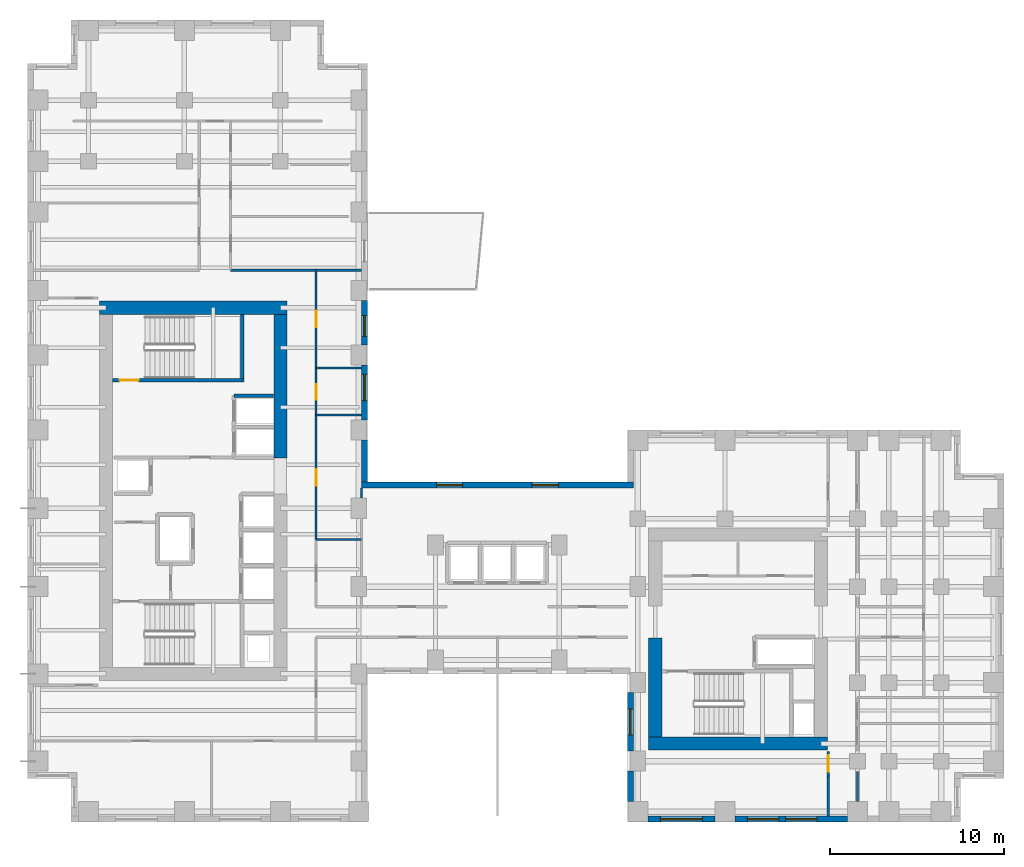
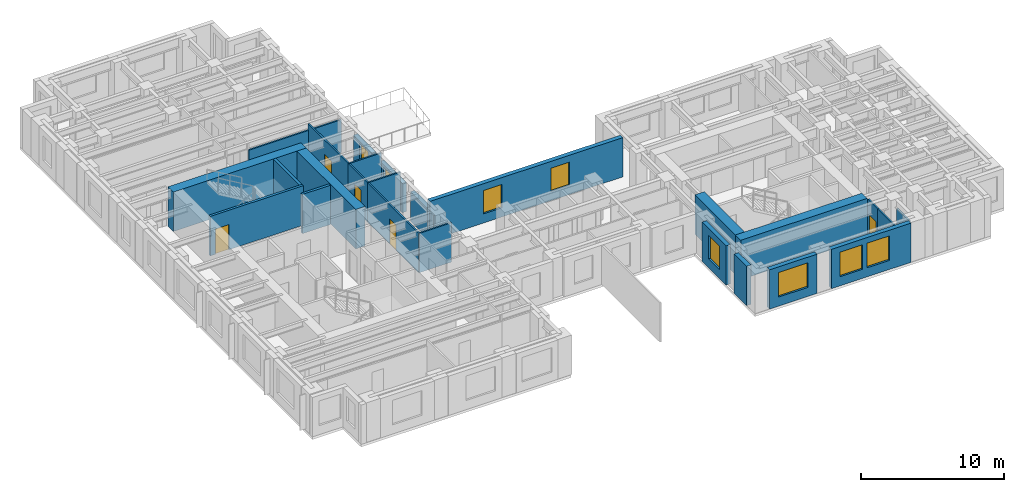
# One storey, part 6 of 11: 26 walls, 8 windows, 5 doors, 13 openings.
"""IFC4 building model written with IfcOpenShell, lengths in metres."""

import ifcopenshell
import ifcopenshell.guid

model = None  # the IFC model being written
_history = None  # IfcOwnerHistory: only IFC2X3 demands one
_inside = {}  # id of a spatial element -> (the spatial element, [elements in it])
_under = {}  # id of a project, library or spatial element -> (it, [spatial elements below it])
_declared = {}  # id of a project -> (the project, [libraries it declares])
_typed = {}  # id of a type object -> (the type object, [elements of that type])
_made_of = {}  # id of a material, layer set ... -> (it, [elements and type objects made of it])


def new_model(schema):
    """Start an empty IFC model of exactly this schema.

    Asked for "IFC4X3", IfcOpenShell would pick the latest addendum, in which some entities
    have other attributes; the version numbers below select the first issue.
    IFC2X3 requires an IfcOwnerHistory on every rooted entity: one is made here for all.
    """
    global model, _history
    if schema == "IFC4X3":
        model = ifcopenshell.file(schema_version=(4, 3, 0, 0))
    else:
        model = ifcopenshell.file(schema=schema)
    _inside.clear()
    _under.clear()
    _declared.clear()
    _typed.clear()
    _made_of.clear()
    _history = None
    if model.schema == "IFC2X3":
        org = make("IfcOrganization", Name="unknown")
        user = make(
            "IfcPersonAndOrganization",
            ThePerson=make("IfcPerson", FamilyName="unknown"),
            TheOrganization=org,
        )
        app = make(
            "IfcApplication",
            ApplicationDeveloper=org,
            Version="unknown",
            ApplicationFullName="unknown",
            ApplicationIdentifier="unknown",
        )
        _history = make(
            "IfcOwnerHistory",
            OwningUser=user,
            OwningApplication=app,
            ChangeAction="ADDED",
            CreationDate=0,
        )
    return model


def make(cls, **values):
    """One entity of the class cls with the attributes given. An attribute that is None is left unset."""
    return model.create_entity(
        cls, **{name: value for name, value in values.items() if value is not None}
    )


def rooted(cls, **values):
    """An entity with a GlobalId (a new one), such as an element, a storey or a relation."""
    return make(cls, GlobalId=ifcopenshell.guid.new(), OwnerHistory=_history, **values)


def si_unit(unit_type, name, prefix=None):
    """IfcSIUnit, for example si_unit("LENGTHUNIT", "METRE", prefix="MILLI")."""
    return make("IfcSIUnit", UnitType=unit_type, Prefix=prefix, Name=name)


def assignment(units):
    """IfcUnitAssignment: the units of a project."""
    return None if units is None else make("IfcUnitAssignment", Units=units)


def point(xyz):
    """IfcCartesianPoint."""
    return None if xyz is None else make("IfcCartesianPoint", Coordinates=xyz)


def direction(xyz):
    """IfcDirection."""
    return None if xyz is None else make("IfcDirection", DirectionRatios=xyz)


def frame(location, z_axis=None, x_axis=None):
    """IfcAxis2Placement3D, a coordinate frame: its origin and axes. An axis left out is left unset."""
    return make(
        "IfcAxis2Placement3D",
        Location=point(location),
        Axis=direction(z_axis),
        RefDirection=direction(x_axis),
    )


def frame_2d(location, x_axis=None):
    """IfcAxis2Placement2D, a coordinate frame in the plane: its origin and x axis."""
    return make(
        "IfcAxis2Placement2D", Location=point(location), RefDirection=direction(x_axis)
    )


def origin():
    """The frame at (0, 0, 0) with its axes left unset."""
    return frame((0.0, 0.0, 0.0))


def place(relative_to, where):
    """IfcLocalPlacement: puts the frame where relative to a parent placement (None: the world)."""
    return make(
        "IfcLocalPlacement", PlacementRelTo=relative_to, RelativePlacement=where
    )


def context(
    kind, dimensions, precision=None, world=None, true_north=None, identifier=None
):
    """IfcGeometricRepresentationContext, for example the 3D "Model" context."""
    return make(
        "IfcGeometricRepresentationContext",
        ContextIdentifier=identifier,
        ContextType=kind,
        CoordinateSpaceDimension=dimensions,
        Precision=precision,
        WorldCoordinateSystem=world,
        TrueNorth=true_north,
    )


def subcontext(parent, identifier, kind, view, scale=None):
    """IfcGeometricRepresentationSubContext, for example "Body" below "Model"."""
    return make(
        "IfcGeometricRepresentationSubContext",
        ContextIdentifier=identifier,
        ContextType=kind,
        ParentContext=parent,
        TargetScale=scale,
        TargetView=view,
    )


def project(units=None, contexts=None):
    """IfcProject with its units and contexts."""
    return rooted(
        "IfcProject",
        Name="project",
        RepresentationContexts=contexts,
        UnitsInContext=assignment(units),
    )


def spatial(cls, under=None, at=None, **own):
    """A site, building, storey or space (cls), placed at a placement, below another one or the project."""
    s = rooted(cls, ObjectPlacement=at, **own)
    if under is not None:
        _under.setdefault(under.id(), (under, []))[1].append(s)
    return s


def profile(cls, at=None, kind="AREA", **sizes):
    """A parametric profile (cls). Its sizes go by their IFC names, for example OverallWidth=200.0."""
    return make(cls, ProfileType=kind, Position=at, **sizes)


def rectangle(**sizes):
    """IfcRectangleProfileDef."""
    return profile("IfcRectangleProfileDef", **sizes)


def extrude(swept, where, along, depth):
    """IfcExtrudedAreaSolid: the profile swept, set in the frame where, extruded along a direction by depth."""
    return make(
        "IfcExtrudedAreaSolid",
        SweptArea=swept,
        Position=where,
        ExtrudedDirection=direction(along),
        Depth=depth,
    )


def shape(context_of_items, identifier, shape_type, items):
    """IfcShapeRepresentation: the items that make up one representation, for example the "Body"."""
    return make(
        "IfcShapeRepresentation",
        ContextOfItems=context_of_items,
        RepresentationIdentifier=identifier,
        RepresentationType=shape_type,
        Items=items,
    )


def source(mapping_origin, context_of_items, identifier, shape_type, items):
    """IfcRepresentationMap: a shape defined once, which mapped items show again and again."""
    return make(
        "IfcRepresentationMap",
        MappingOrigin=mapping_origin,
        MappedRepresentation=shape(context_of_items, identifier, shape_type, items),
    )


def transform(
    local_origin,
    x_axis=None,
    y_axis=None,
    z_axis=None,
    scale=None,
    scale2=None,
    scale3=None,
    uniform=True,
):
    """IfcCartesianTransformationOperator3D, or its non-uniform kind. x_axis, y_axis, z_axis: its Axis1, 2, 3."""
    if uniform:
        return make(
            "IfcCartesianTransformationOperator3D",
            Axis1=direction(x_axis),
            Axis2=direction(y_axis),
            LocalOrigin=point(local_origin),
            Scale=scale,
            Axis3=direction(z_axis),
        )
    return make(
        "IfcCartesianTransformationOperator3DnonUniform",
        Axis1=direction(x_axis),
        Axis2=direction(y_axis),
        LocalOrigin=point(local_origin),
        Scale=scale,
        Axis3=direction(z_axis),
        Scale2=scale2,
        Scale3=scale3,
    )


def mapped(mapping_source, mapping_target):
    """IfcMappedItem: shows the shape of a source again, moved by a transform."""
    return make(
        "IfcMappedItem", MappingSource=mapping_source, MappingTarget=mapping_target
    )


def material(Name=None, Category=None):
    """IfcMaterial."""
    return make("IfcMaterial", Name=Name, Category=Category)


def layer(
    of_material, thickness, ventilated=None, Name=None, Category=None, Priority=None
):
    """IfcMaterialLayer: one layer of a wall or slab, of a material (None: an air gap)."""
    return make(
        "IfcMaterialLayer",
        Material=of_material,
        LayerThickness=thickness,
        IsVentilated=ventilated,
        Name=Name,
        Category=Category,
        Priority=Priority,
    )


def layer_set(layers, Name=None):
    """IfcMaterialLayerSet."""
    return make("IfcMaterialLayerSet", MaterialLayers=layers, LayerSetName=Name)


def made_of(thing, what):
    """Note that an element or type object is made of a material, layer set ...; save() writes the relation."""
    if what is not None:
        _made_of.setdefault(what.id(), (what, []))[1].append(thing)
    return thing


def type_object(cls, material=None, **own):
    """A type object (cls), such as IfcWallType, which elements share."""
    return made_of(rooted(cls, **own), material)


def element(
    cls,
    number,
    at=None,
    inside=None,
    cuts=None,
    type_object=None,
    material=None,
    context=None,
    identifier="Body",
    shape_type=None,
    held_by="IfcProductDefinitionShape",
    body=None,
    shapes=None,
    **own,
):
    """One element of the class cls, such as IfcWall. Its Tag is "e" and its number.

    at: its placement. inside: the storey or other place that contains it. cuts: it is an
    opening in that element (IfcRelVoidsElement). A single representation is given by context,
    identifier, shape_type and body (its items); several are given by shapes. held_by: the class
    of the entity that holds the representations. save() writes the other relations.
    """
    e = rooted(cls, Tag="e%d" % number, ObjectPlacement=at, **own)
    if body is not None:
        shapes = [shape(context, identifier, shape_type, body)]
    if shapes is not None:
        e.Representation = make(held_by, Representations=shapes)
    if inside is not None:
        _inside.setdefault(inside.id(), (inside, []))[1].append(e)
    if cuts is not None:
        rooted(
            "IfcRelVoidsElement", RelatingBuildingElement=cuts, RelatedOpeningElement=e
        )
    if type_object is not None:
        _typed.setdefault(type_object.id(), (type_object, []))[1].append(e)
    return made_of(e, material)


def fill(opening, filler):
    """IfcRelFillsElement: the door or window that sits in an opening."""
    return rooted(
        "IfcRelFillsElement",
        RelatingOpeningElement=opening,
        RelatedBuildingElement=filler,
    )


def aggregate(whole, parts):
    """IfcRelAggregates: a whole, such as a stair, and the parts it consists of."""
    return rooted("IfcRelAggregates", RelatingObject=whole, RelatedObjects=parts)


def save(model, path):
    """Write the relations noted so far, then the file.

    IfcRelAggregates (storeys below a building ...), IfcRelContainedInSpatialStructure (elements
    in a storey), IfcRelDefinesByType, IfcRelAssociatesMaterial and IfcRelDeclares: one each for
    every whole, place, type object, material and project.
    """
    for whole, parts in _under.values():
        aggregate(whole, parts)
    for where, things in _inside.values():
        rooted(
            "IfcRelContainedInSpatialStructure",
            RelatedElements=things,
            RelatingStructure=where,
        )
    for kind, things in _typed.values():
        rooted("IfcRelDefinesByType", RelatedObjects=things, RelatingType=kind)
    for what, things in _made_of.values():
        rooted("IfcRelAssociatesMaterial", RelatedObjects=things, RelatingMaterial=what)
    for by, libraries in _declared.values():
        rooted("IfcRelDeclares", RelatingContext=by, RelatedDefinitions=libraries)
    model.write(path)


model = new_model("IFC4")

# Units and contexts
model_context = context("Model", 3, precision=1e-05, world=origin(), true_north=direction((0.0, 1.0)))
body_context = subcontext(model_context, "Body", "Model", "MODEL_VIEW")
ifc_project = project(units=[si_unit("LENGTHUNIT", "METRE"), si_unit("AREAUNIT", "SQUARE_METRE"), si_unit("VOLUMEUNIT", "CUBIC_METRE"), si_unit("PLANEANGLEUNIT", "RADIAN"), si_unit("MASSUNIT", "GRAM", prefix="KILO")], contexts=[model_context])

# Site, building, storey
site_placement = place(None, origin())
site = spatial("IfcSite", under=ifc_project, at=site_placement, CompositionType="ELEMENT")
building_placement = place(site_placement, origin())
building = spatial("IfcBuilding", under=site, at=building_placement, Name="Kharzan Plaza Tower", CompositionType="ELEMENT")
storey_placement = place(building_placement, frame((0.0, 0.0, 127.800048828125)))
storey = spatial("IfcBuildingStorey", under=building, at=storey_placement, Name="L34", CompositionType="ELEMENT", Elevation=127.800048828125)

# Wall, opening, window
ifc_material_1 = material(Name="Concrete C40/50", Category="concrete")
ifc_layer_1 = layer(ifc_material_1, 0.35009765625)
ifc_layer_set_1 = layer_set([ifc_layer_1], Name="Concrete C40/50")
wall_type_1 = type_object("IfcWallType", Name="WL-EXT-MAS-Z2", PredefinedType="SOLIDWALL", material=ifc_layer_set_1)
wall_1_placement = place(storey_placement, frame((19.324951171875, 23.072998046875, 0.0), z_axis=(0.0, 0.0, 1.0), x_axis=(0.0, 1.0, 0.0)))
wall_1 = element("IfcWall", 1, at=wall_1_placement, inside=storey, type_object=wall_type_1, Name="L34 Masonry-Frame Exterior Wall 02", PredefinedType="SOLIDWALL", context=body_context, shape_type="SweptSolid", body=[
    extrude(rectangle(XDim=3.154052734375, YDim=0.35009765625, at=frame_2d((1.5771484375, 0.0))), origin(), (0.0, 0.0, 1.0), 2.51904296875),
])
opening_1_placement = place(wall_1_placement, frame((1.10546875, 0.0, 0.780029296875)))
opening_1 = element("IfcOpeningElement", 2, at=opening_1_placement, cuts=wall_1, Name="Opening W5", PredefinedType="OPENING", context=body_context, shape_type="SweptSolid", body=[
    extrude(rectangle(XDim=1.5, YDim=1.55908203125, at=frame_2d((0.75, 0.779541015625))), frame((0.0, 0.18505859375, 0.0), z_axis=(0.0, -1.0, 0.0), x_axis=(1.0, 0.0, 0.0)), (0.0, 0.0, 1.0), 0.3701171875),
])
ifc_material_2 = material(Name="Low-E Double Glazing", Category="glass")
window_type_1 = type_object("IfcWindowType", Name="WN-SLT-1500x2000", PartitioningType="SINGLE_PANEL", PredefinedType="WINDOW", material=ifc_material_2)
shared_shape_1 = source(origin(), body_context, "Body", "SweptSolid", [
    extrude(rectangle(XDim=1.5, YDim=1.55908203125, at=frame_2d((0.75, 0.779541015625))), frame((0.0, 0.030029296875, 0.0), z_axis=(0.0, -1.0, 0.0), x_axis=(1.0, 0.0, 0.0)), (0.0, 0.0, 1.0), 0.06005859375),
])
window_1_placement = place(opening_1_placement, origin())
window_1 = element("IfcWindow", 3, at=window_1_placement, inside=storey, type_object=window_type_1, Name="L34 Recessed Solar-Control Window 02-1", OverallHeight=1.55908203125, OverallWidth=1.5, PartitioningType="SINGLE_PANEL", PredefinedType="WINDOW", context=body_context, shape_type="MappedRepresentation", body=[
    mapped(shared_shape_1, transform((0.0, 0.0, 0.0), x_axis=(1.0, 0.0, 0.0), y_axis=(0.0, 1.0, 0.0), z_axis=(0.0, 0.0, 1.0))),
])
fill(opening_1, window_1)

wall_2_placement = place(storey_placement, frame((19.324951171875, 27.373046875, 0.0), z_axis=(0.0, 0.0, 1.0), x_axis=(0.0, 1.0, 0.0)))
wall_2 = element("IfcWall", 4, at=wall_2_placement, inside=storey, type_object=wall_type_1, Name="L34 Masonry-Frame Exterior Wall 03", PredefinedType="SOLIDWALL", context=body_context, shape_type="SweptSolid", body=[
    extrude(rectangle(XDim=2.553955078125, YDim=0.35009765625, at=frame_2d((1.27685546875, 0.0))), origin(), (0.0, 0.0, 1.0), 2.51904296875),
])
opening_2_placement = place(wall_2_placement, frame((0.47998046875, 0.0, 0.780029296875)))
opening_2 = element("IfcOpeningElement", 5, at=opening_2_placement, cuts=wall_2, Name="Opening W3", PredefinedType="OPENING", context=body_context, shape_type="SweptSolid", body=[
    extrude(rectangle(XDim=1.199951171875, YDim=1.55908203125, at=frame_2d((0.60009765625, 0.779541015625))), frame((0.0, 0.18505859375, 0.0), z_axis=(0.0, -1.0, 0.0), x_axis=(1.0, 0.0, 0.0)), (0.0, 0.0, 1.0), 0.3701171875),
])
window_type_2 = type_object("IfcWindowType", Name="WN-REC-1200x2100", PartitioningType="SINGLE_PANEL", PredefinedType="WINDOW", material=ifc_material_2)
shared_shape_2 = source(origin(), body_context, "Body", "SweptSolid", [
    extrude(rectangle(XDim=1.199951171875, YDim=1.55908203125, at=frame_2d((0.60009765625, 0.779541015625))), frame((0.0, 0.030029296875, 0.0), z_axis=(0.0, -1.0, 0.0), x_axis=(1.0, 0.0, 0.0)), (0.0, 0.0, 1.0), 0.06005859375),
])
window_2_placement = place(opening_2_placement, origin())
window_2 = element("IfcWindow", 6, at=window_2_placement, inside=storey, type_object=window_type_2, Name="L34 Recessed Solar-Control Window 03-1", OverallHeight=1.55908203125, OverallWidth=1.199951171875, PartitioningType="SINGLE_PANEL", PredefinedType="WINDOW", context=body_context, shape_type="MappedRepresentation", body=[
    mapped(shared_shape_2, transform((0.0, 0.0, 0.0), x_axis=(1.0, 0.0, 0.0), y_axis=(0.0, 1.0, 0.0), z_axis=(0.0, 0.0, 1.0))),
])
fill(opening_2, window_2)

wall_3_placement = place(storey_placement, frame((34.574951171875, 7.427001953125, 0.0), z_axis=(0.0, 0.0, 1.0), x_axis=(0.0, -1.0, 0.0)))
wall_3 = element("IfcWall", 7, at=wall_3_placement, inside=storey, type_object=wall_type_1, Name="L34 Masonry-Frame Exterior Wall 37", PredefinedType="SOLIDWALL", context=body_context, shape_type="SweptSolid", body=[
    extrude(rectangle(XDim=3.35400390625, YDim=0.35009765625, at=frame_2d((1.677001953125, 0.0))), origin(), (0.0, 0.0, 1.0), 3.364990234375),
])
opening_3_placement = place(wall_3_placement, frame((0.927001953125, 0.0, 0.780029296875)))
opening_3 = element("IfcOpeningElement", 8, at=opening_3_placement, cuts=wall_3, Name="Opening W5", PredefinedType="OPENING", context=body_context, shape_type="SweptSolid", body=[
    extrude(rectangle(XDim=1.5, YDim=2.0, at=frame_2d((0.75, 1.0))), frame((0.0, 0.18505859375, 0.0), z_axis=(0.0, -1.0, 0.0), x_axis=(1.0, 0.0, 0.0)), (0.0, 0.0, 1.0), 0.3701171875),
])
shared_shape_3 = source(origin(), body_context, "Body", "SweptSolid", [
    extrude(rectangle(XDim=1.5, YDim=2.0, at=frame_2d((0.75, 1.0))), frame((0.0, 0.030029296875, 0.0), z_axis=(0.0, -1.0, 0.0), x_axis=(1.0, 0.0, 0.0)), (0.0, 0.0, 1.0), 0.06005859375),
])
window_3_placement = place(opening_3_placement, origin())
window_3 = element("IfcWindow", 9, at=window_3_placement, inside=storey, type_object=window_type_1, Name="L34 Recessed Solar-Control Window 37-1", OverallHeight=2.0, OverallWidth=1.5, PartitioningType="SINGLE_PANEL", PredefinedType="WINDOW", context=body_context, shape_type="MappedRepresentation", body=[
    mapped(shared_shape_3, transform((0.0, 0.0, 0.0), x_axis=(1.0, 0.0, 0.0), y_axis=(0.0, 1.0, 0.0), z_axis=(0.0, 0.0, 1.0))),
])
fill(opening_3, window_3)

wall_4_placement = place(storey_placement, frame((35.572998046875, 0.175048828125, 0.0), z_axis=(0.0, 0.0, 1.0), x_axis=(1.0, 0.0, 0.0)))
wall_4 = element("IfcWall", 10, at=wall_4_placement, inside=storey, type_object=wall_type_1, Name="L34 Masonry-Frame Exterior Wall 39", PredefinedType="SOLIDWALL", context=body_context, shape_type="SweptSolid", body=[
    extrude(rectangle(XDim=3.85400390625, YDim=0.35009765625, at=frame_2d((1.927001953125, 0.0))), origin(), (0.0, 0.0, 1.0), 3.364990234375),
])
opening_4_placement = place(wall_4_placement, frame((0.72705078125, 0.0, 0.780029296875)))
opening_4 = element("IfcOpeningElement", 11, at=opening_4_placement, cuts=wall_4, Name="Opening W2", PredefinedType="OPENING", context=body_context, shape_type="SweptSolid", body=[
    extrude(rectangle(XDim=2.39990234375, YDim=2.10009765625, at=frame_2d((1.199951171875, 1.050048828125))), frame((0.0, 0.18505859375, 0.0), z_axis=(0.0, -1.0, 0.0), x_axis=(1.0, 0.0, 0.0)), (0.0, 0.0, 1.0), 0.3701171875),
])
window_type_3 = type_object("IfcWindowType", Name="WN-REC-2400x2100", PartitioningType="SINGLE_PANEL", PredefinedType="WINDOW", material=ifc_material_2)
shared_shape_4 = source(origin(), body_context, "Body", "SweptSolid", [
    extrude(rectangle(XDim=2.39990234375, YDim=2.10009765625, at=frame_2d((1.199951171875, 1.050048828125))), frame((0.0, 0.030029296875, 0.0), z_axis=(0.0, -1.0, 0.0), x_axis=(1.0, 0.0, 0.0)), (0.0, 0.0, 1.0), 0.06005859375),
])
window_4_placement = place(opening_4_placement, origin())
window_4 = element("IfcWindow", 12, at=window_4_placement, inside=storey, type_object=window_type_3, Name="L34 Wide Recessed Solar-Control Window 39-1", OverallHeight=2.10009765625, OverallWidth=2.39990234375, PartitioningType="SINGLE_PANEL", PredefinedType="WINDOW", context=body_context, shape_type="MappedRepresentation", body=[
    mapped(shared_shape_4, transform((0.0, 0.0, 0.0), x_axis=(1.0, 0.0, 0.0), y_axis=(0.0, 1.0, 0.0), z_axis=(0.0, 0.0, 1.0))),
])
fill(opening_4, window_4)

# Wall, openings, windows
wall_5_placement = place(storey_placement, frame((40.572998046875, 0.175048828125, 0.0), z_axis=(0.0, 0.0, 1.0), x_axis=(1.0, 0.0, 0.0)))
wall_5 = element("IfcWall", 13, at=wall_5_placement, inside=storey, type_object=wall_type_1, Name="L34 Masonry-Frame Exterior Wall 40", PredefinedType="SOLIDWALL", context=body_context, shape_type="SweptSolid", body=[
    extrude(rectangle(XDim=6.4541015625, YDim=0.35009765625, at=frame_2d((3.22705078125, 0.0))), origin(), (0.0, 0.0, 1.0), 3.364990234375),
])
opening_5_placement = place(wall_5_placement, frame((0.71240234375, 0.0, 0.780029296875)))
opening_5 = element("IfcOpeningElement", 14, at=opening_5_placement, cuts=wall_5, Name="Opening W1", PredefinedType="OPENING", context=body_context, shape_type="SweptSolid", body=[
    extrude(rectangle(XDim=1.800048828125, YDim=2.10009765625, at=frame_2d((0.89990234375, 1.050048828125))), frame((0.0, 0.18505859375, 0.0), z_axis=(0.0, -1.0, 0.0), x_axis=(1.0, 0.0, 0.0)), (0.0, 0.0, 1.0), 0.3701171875),
])
opening_6_placement = place(wall_5_placement, frame((2.90478515625, 0.0, 0.780029296875)))
opening_6 = element("IfcOpeningElement", 15, at=opening_6_placement, cuts=wall_5, Name="Opening W1", PredefinedType="OPENING", context=body_context, shape_type="SweptSolid", body=[
    extrude(rectangle(XDim=1.800048828125, YDim=2.10009765625, at=frame_2d((0.89990234375, 1.050048828125))), frame((0.0, 0.18505859375, 0.0), z_axis=(0.0, -1.0, 0.0), x_axis=(1.0, 0.0, 0.0)), (0.0, 0.0, 1.0), 0.3701171875),
])
window_type_4 = type_object("IfcWindowType", Name="WN-REC-1800x2100", PartitioningType="SINGLE_PANEL", PredefinedType="WINDOW", material=ifc_material_2)
shared_shape_5 = source(origin(), body_context, "Body", "SweptSolid", [
    extrude(rectangle(XDim=1.800048828125, YDim=2.10009765625, at=frame_2d((0.89990234375, 1.050048828125))), frame((0.0, 0.030029296875, 0.0), z_axis=(0.0, -1.0, 0.0), x_axis=(1.0, 0.0, 0.0)), (0.0, 0.0, 1.0), 0.06005859375),
])
window_5_placement = place(opening_5_placement, origin())
window_5 = element("IfcWindow", 16, at=window_5_placement, inside=storey, type_object=window_type_4, Name="L34 Recessed Solar-Control Window 40-1", OverallHeight=2.10009765625, OverallWidth=1.800048828125, PartitioningType="SINGLE_PANEL", PredefinedType="WINDOW", context=body_context, shape_type="MappedRepresentation", body=[
    mapped(shared_shape_5, transform((0.0, 0.0, 0.0), x_axis=(1.0, 0.0, 0.0), y_axis=(0.0, 1.0, 0.0), z_axis=(0.0, 0.0, 1.0))),
])
fill(opening_5, window_5)
window_6_placement = place(opening_6_placement, origin())
window_6 = element("IfcWindow", 17, at=window_6_placement, inside=storey, type_object=window_type_4, Name="L34 Recessed Solar-Control Window 40-2", OverallHeight=2.10009765625, OverallWidth=1.800048828125, PartitioningType="SINGLE_PANEL", PredefinedType="WINDOW", context=body_context, shape_type="MappedRepresentation", body=[
    mapped(shared_shape_5, transform((0.0, 0.0, 0.0), x_axis=(1.0, 0.0, 0.0), y_axis=(0.0, 1.0, 0.0), z_axis=(0.0, 0.0, 1.0))),
])
fill(opening_6, window_6)

wall_6_placement = place(storey_placement, frame((34.75, 19.324951171875, 0.0), z_axis=(0.0, 0.0, 1.0), x_axis=(-1.0, 0.0, 0.0)))
wall_6 = element("IfcWall", 18, at=wall_6_placement, inside=storey, type_object=wall_type_1, Name="L34 Masonry-Frame Exterior Wall 58", PredefinedType="SOLIDWALL", context=body_context, shape_type="SweptSolid", body=[
    extrude(rectangle(XDim=15.60009765625, YDim=0.35009765625, at=frame_2d((7.800048828125, 0.0))), origin(), (0.0, 0.0, 1.0), 3.364990234375),
])
opening_7_placement = place(wall_6_placement, frame((4.306640625, 0.0, 0.780029296875)))
opening_7 = element("IfcOpeningElement", 19, at=opening_7_placement, cuts=wall_6, Name="Opening W5", PredefinedType="OPENING", context=body_context, shape_type="SweptSolid", body=[
    extrude(rectangle(XDim=1.5, YDim=2.0, at=frame_2d((0.75, 1.0))), frame((0.0, 0.18505859375, 0.0), z_axis=(0.0, -1.0, 0.0), x_axis=(1.0, 0.0, 0.0)), (0.0, 0.0, 1.0), 0.3701171875),
])
opening_8_placement = place(wall_6_placement, frame((9.793212890625, 0.0, 0.780029296875)))
opening_8 = element("IfcOpeningElement", 20, at=opening_8_placement, cuts=wall_6, Name="Opening W5", PredefinedType="OPENING", context=body_context, shape_type="SweptSolid", body=[
    extrude(rectangle(XDim=1.5, YDim=2.0, at=frame_2d((0.75, 1.0))), frame((0.0, 0.18505859375, 0.0), z_axis=(0.0, -1.0, 0.0), x_axis=(1.0, 0.0, 0.0)), (0.0, 0.0, 1.0), 0.3701171875),
])
window_7_placement = place(opening_7_placement, origin())
window_7 = element("IfcWindow", 21, at=window_7_placement, inside=storey, type_object=window_type_1, Name="L34 Recessed Solar-Control Window 58-1", OverallHeight=2.0, OverallWidth=1.5, PartitioningType="SINGLE_PANEL", PredefinedType="WINDOW", context=body_context, shape_type="MappedRepresentation", body=[
    mapped(shared_shape_3, transform((0.0, 0.0, 0.0), x_axis=(1.0, 0.0, 0.0), y_axis=(0.0, 1.0, 0.0), z_axis=(0.0, 0.0, 1.0))),
])
fill(opening_7, window_7)
window_8_placement = place(opening_8_placement, origin())
window_8 = element("IfcWindow", 22, at=window_8_placement, inside=storey, type_object=window_type_1, Name="L34 Recessed Solar-Control Window 58-2", OverallHeight=2.0, OverallWidth=1.5, PartitioningType="SINGLE_PANEL", PredefinedType="WINDOW", context=body_context, shape_type="MappedRepresentation", body=[
    mapped(shared_shape_3, transform((0.0, 0.0, 0.0), x_axis=(1.0, 0.0, 0.0), y_axis=(0.0, 1.0, 0.0), z_axis=(0.0, 0.0, 1.0))),
])
fill(opening_8, window_8)

# Wall, opening, door
ifc_material_3 = material(Name="Fire-Rated Gypsum Board Partition", Category="gypsum")
ifc_layer_2 = layer(ifc_material_3, 0.125)
ifc_layer_set_2 = layer_set([ifc_layer_2], Name="Fire-Rated Gypsum Board Partition")
wall_type_2 = type_object("IfcWallType", Name="WL-INT-PART-125", PredefinedType="PARTITIONING", material=ifc_layer_set_2)
wall_7_placement = place(storey_placement, frame((16.550048828125, 16.199951171875, 0.0), z_axis=(0.0, 0.0, 1.0), x_axis=(0.0, 1.0, 0.0)))
wall_7 = element("IfcWall", 23, at=wall_7_placement, inside=storey, type_object=wall_type_2, Name="L34 Interior Partition SH-AEWN2", PredefinedType="PARTITIONING", context=body_context, shape_type="SweptSolid", body=[
    extrude(rectangle(XDim=7.150146484375, YDim=0.125, at=frame_2d((3.5751953125, 0.0))), origin(), (0.0, 0.0, 1.0), 3.364990234375),
])
opening_9_placement = place(wall_7_placement, frame((3.10009765625, 0.0, 0.0)))
opening_9 = element("IfcOpeningElement", 24, at=opening_9_placement, cuts=wall_7, Name="Opening OD1", PredefinedType="OPENING", context=body_context, shape_type="SweptSolid", body=[
    extrude(rectangle(XDim=0.949951171875, YDim=2.14990234375, at=frame_2d((0.47509765625, 1.074951171875))), frame((0.0, 0.072509765625, 0.0), z_axis=(0.0, -1.0, 0.0), x_axis=(1.0, 0.0, 0.0)), (0.0, 0.0, 1.0), 0.14501953125),
])
ifc_material_4 = material(Name="Acoustic Solid-Core Stained Oak", Category="timber")
door_type_1 = type_object("IfcDoorType", Name="DR-OFF-SINGLE", OperationType="NOTDEFINED", PredefinedType="DOOR", material=ifc_material_4)
shared_shape_6 = source(origin(), body_context, "Body", "SweptSolid", [
    extrude(rectangle(XDim=0.949951171875, YDim=2.14990234375, at=frame_2d((0.47509765625, 1.074951171875))), frame((0.0, 0.02490234375, 0.0), z_axis=(0.0, -1.0, 0.0), x_axis=(1.0, 0.0, 0.0)), (0.0, 0.0, 1.0), 0.050048828125),
])
door_1_placement = place(opening_9_placement, origin())
door_1 = element("IfcDoor", 25, at=door_1_placement, inside=storey, type_object=door_type_1, Name="L34 Slot Studio Door", OperationType="SINGLE_SWING_RIGHT", OverallHeight=2.14990234375, OverallWidth=0.949951171875, PredefinedType="DOOR", context=body_context, shape_type="MappedRepresentation", body=[
    mapped(shared_shape_6, transform((0.0, 0.0, 0.0), x_axis=(1.0, 0.0, 0.0), y_axis=(0.0, 1.0, 0.0), z_axis=(0.0, 0.0, 1.0))),
])
fill(opening_9, door_1)

wall_8_placement = place(storey_placement, frame((16.550048828125, 26.050048828125, 0.0), z_axis=(0.0, 0.0, 1.0), x_axis=(0.0, 1.0, 0.0)))
wall_8 = element("IfcWall", 26, at=wall_8_placement, inside=storey, type_object=wall_type_2, Name="L34 Interior Partition SH-AEWN3", PredefinedType="PARTITIONING", context=body_context, shape_type="SweptSolid", body=[
    extrude(rectangle(XDim=5.599853515625, YDim=0.125, at=frame_2d((2.7998046875, 0.0))), origin(), (0.0, 0.0, 1.0), 3.364990234375),
])
opening_10_placement = place(wall_8_placement, frame((2.324951171875, 0.0, 0.0)))
opening_10 = element("IfcOpeningElement", 27, at=opening_10_placement, cuts=wall_8, Name="Opening OD1", PredefinedType="OPENING", context=body_context, shape_type="SweptSolid", body=[
    extrude(rectangle(XDim=0.949951171875, YDim=2.14990234375, at=frame_2d((0.47509765625, 1.074951171875))), frame((0.0, 0.072509765625, 0.0), z_axis=(0.0, -1.0, 0.0), x_axis=(1.0, 0.0, 0.0)), (0.0, 0.0, 1.0), 0.14501953125),
])
door_2_placement = place(opening_10_placement, origin())
door_2 = element("IfcDoor", 28, at=door_2_placement, inside=storey, type_object=door_type_1, Name="L34 Staff Tea Point Door", OperationType="SINGLE_SWING_RIGHT", OverallHeight=2.14990234375, OverallWidth=0.949951171875, PredefinedType="DOOR", context=body_context, shape_type="MappedRepresentation", body=[
    mapped(shared_shape_6, transform((0.0, 0.0, 0.0), x_axis=(1.0, 0.0, 0.0), y_axis=(0.0, 1.0, 0.0), z_axis=(0.0, 0.0, 1.0))),
])
fill(opening_10, door_2)

wall_9_placement = place(storey_placement, frame((16.550048828125, 23.35009765625, 0.0), z_axis=(0.0, 0.0, 1.0), x_axis=(0.0, 1.0, 0.0)))
wall_9 = element("IfcWall", 29, at=wall_9_placement, inside=storey, type_object=wall_type_2, Name="L34 Interior Partition SH-AEWW", PredefinedType="PARTITIONING", context=body_context, shape_type="SweptSolid", body=[
    extrude(rectangle(XDim=2.699951171875, YDim=0.125, at=frame_2d((1.35009765625, 0.0))), origin(), (0.0, 0.0, 1.0), 3.364990234375),
])
opening_11_placement = place(wall_9_placement, frame((0.875, 0.0, 0.0)))
opening_11 = element("IfcOpeningElement", 30, at=opening_11_placement, cuts=wall_9, Name="Opening WD1", PredefinedType="OPENING", context=body_context, shape_type="SweptSolid", body=[
    extrude(rectangle(XDim=0.89990234375, YDim=2.14990234375, at=frame_2d((0.449951171875, 1.074951171875))), frame((0.0, 0.072509765625, 0.0), z_axis=(0.0, -1.0, 0.0), x_axis=(1.0, 0.0, 0.0)), (0.0, 0.0, 1.0), 0.14501953125),
])
ifc_material_5 = material(Name="Moisture-Resistant Fire-Rated Laminate", Category="timber")
door_type_2 = type_object("IfcDoorType", Name="DR-WC-900", OperationType="NOTDEFINED", PredefinedType="DOOR", material=ifc_material_5)
shared_shape_7 = source(origin(), body_context, "Body", "SweptSolid", [
    extrude(rectangle(XDim=0.89990234375, YDim=2.14990234375, at=frame_2d((0.449951171875, 1.074951171875))), frame((0.0, 0.02490234375, 0.0), z_axis=(0.0, -1.0, 0.0), x_axis=(1.0, 0.0, 0.0)), (0.0, 0.0, 1.0), 0.050048828125),
])
door_3_placement = place(opening_11_placement, origin())
door_3 = element("IfcDoor", 31, at=door_3_placement, inside=storey, type_object=door_type_2, Name="L34 Wing A Washroom Door", OperationType="SINGLE_SWING_LEFT", OverallHeight=2.14990234375, OverallWidth=0.89990234375, PredefinedType="DOOR", context=body_context, shape_type="MappedRepresentation", body=[
    mapped(shared_shape_7, transform((0.0, 0.0, 0.0), x_axis=(1.0, 0.0, 0.0), y_axis=(0.0, 1.0, 0.0), z_axis=(0.0, 0.0, 1.0))),
])
fill(opening_11, door_3)

wall_10_placement = place(storey_placement, frame((45.919921875, 2.64990234375, 0.0), z_axis=(0.0, 0.0, 1.0), x_axis=(0.0, 1.0, 0.0)))
wall_10 = element("IfcWall", 32, at=wall_10_placement, inside=storey, type_object=wall_type_2, Name="L34 Interior Partition SH-RBSE", PredefinedType="PARTITIONING", context=body_context, shape_type="SweptSolid", body=[
    extrude(rectangle(XDim=1.400146484375, YDim=0.125, at=frame_2d((0.7001953125, 0.0))), origin(), (0.0, 0.0, 1.0), 3.364990234375),
])
opening_12_placement = place(wall_10_placement, frame((0.22509765625, 0.0, 0.0)))
opening_12 = element("IfcOpeningElement", 33, at=opening_12_placement, cuts=wall_10, Name="Opening OD1", PredefinedType="OPENING", context=body_context, shape_type="SweptSolid", body=[
    extrude(rectangle(XDim=0.949951171875, YDim=2.14990234375, at=frame_2d((0.47509765625, 1.074951171875))), frame((0.0, 0.072509765625, 0.0), z_axis=(0.0, -1.0, 0.0), x_axis=(1.0, 0.0, 0.0)), (0.0, 0.0, 1.0), 0.14501953125),
])
door_4_placement = place(opening_12_placement, origin())
door_4 = element("IfcDoor", 34, at=door_4_placement, inside=storey, type_object=door_type_1, Name="L34 South-East Corner Office Door", OperationType="SINGLE_SWING_LEFT", OverallHeight=2.14990234375, OverallWidth=0.949951171875, PredefinedType="DOOR", context=body_context, shape_type="MappedRepresentation", body=[
    mapped(shared_shape_6, transform((0.0, 0.0, 0.0), x_axis=(1.0, 0.0, 0.0), y_axis=(0.0, 1.0, 0.0), z_axis=(0.0, 0.0, 1.0))),
])
fill(opening_12, door_4)

ifc_material_6 = material(Name="Concrete C50/60", Category="concrete")
ifc_layer_3 = layer(ifc_material_6, 0.199951171875)
ifc_layer_set_3 = layer_set([ifc_layer_3], Name="Concrete C50/60")
wall_type_3 = type_object("IfcWallType", Name="WL-SHAFT-RC200", PredefinedType="SHEAR", material=ifc_layer_set_3)
wall_11_placement = place(storey_placement, frame((4.876953125, 25.344970703125, 0.0), z_axis=(0.0, 0.0, 1.0), x_axis=(1.0, 0.0, 0.0)))
wall_11 = element("IfcWall", 35, at=wall_11_placement, inside=storey, type_object=wall_type_3, Name="L34 Stair ST-2 South RC Shaft Wall", PredefinedType="SHEAR", context=body_context, shape_type="SweptSolid", body=[
    extrude(rectangle(XDim=7.528076171875, YDim=0.199951171875, at=frame_2d((3.76416015625, 0.0))), origin(), (0.0, 0.0, 1.0), 3.3798828125),
])
opening_13_placement = place(wall_11_placement, frame((0.39990234375, 0.0, 0.0)))
opening_13 = element("IfcOpeningElement", 36, at=opening_13_placement, cuts=wall_11, Name="Opening SD1", PredefinedType="OPENING", context=body_context, shape_type="SweptSolid", body=[
    extrude(rectangle(XDim=1.10009765625, YDim=2.14990234375, at=frame_2d((0.550048828125, 1.074951171875))), frame((0.0, 0.10986328125, 0.0), z_axis=(0.0, -1.0, 0.0), x_axis=(1.0, 0.0, 0.0)), (0.0, 0.0, 1.0), 0.219970703125),
])
ifc_material_7 = material(Name="Fire-Rated Hollow Galvanized Steel", Category="steel")
door_type_3 = type_object("IfcDoorType", Name="DR-STAIR-FD120", OperationType="NOTDEFINED", PredefinedType="DOOR", material=ifc_material_7)
shared_shape_8 = source(origin(), body_context, "Body", "SweptSolid", [
    extrude(rectangle(XDim=1.10009765625, YDim=2.14990234375, at=frame_2d((0.550048828125, 1.074951171875))), frame((0.0, 0.02490234375, 0.0), z_axis=(0.0, -1.0, 0.0), x_axis=(1.0, 0.0, 0.0)), (0.0, 0.0, 1.0), 0.050048828125),
])
door_5_placement = place(opening_13_placement, origin())
door_5 = element("IfcDoor", 37, at=door_5_placement, inside=storey, type_object=door_type_3, Name="L34 Stair ST-2 Fire Exit Door", OperationType="SINGLE_SWING_LEFT", OverallHeight=2.14990234375, OverallWidth=1.10009765625, PredefinedType="DOOR", context=body_context, shape_type="MappedRepresentation", body=[
    mapped(shared_shape_8, transform((0.0, 0.0, 0.0), x_axis=(1.0, 0.0, 0.0), y_axis=(0.0, 1.0, 0.0), z_axis=(0.0, 0.0, 1.0))),
])
fill(opening_13, door_5)

# Walls
shared_shape_9 = source(origin(), body_context, "Body", "SweptSolid", [
    extrude(rectangle(XDim=2.597900390625, YDim=0.125, at=frame_2d((1.298828125, 0.0))), origin(), (0.0, 0.0, 1.0), 3.364990234375),
])
for number, where, z_axis, x_axis, name in (
    (38, (16.550048828125, 23.35009765625, 0.0), (0.0, 0.0, 1.0), (1.0, 0.0, 0.0), "L34 Interior Partition SH-AEH-233"),
    (39, (16.550048828125, 26.050048828125, 0.0), (0.0, 0.0, 1.0), (1.0, 0.0, 0.0), "L34 Interior Partition SH-AEH-260"),
):
    element("IfcWall", number, at=place(storey_placement, frame(where, z_axis=z_axis, x_axis=x_axis)), inside=storey, type_object=wall_type_2, Name=name, PredefinedType="PARTITIONING", context=body_context, shape_type="MappedRepresentation", body=[
        mapped(shared_shape_9, transform((0.0, 0.0, 0.0), x_axis=(1.0, 0.0, 0.0), y_axis=(0.0, 1.0, 0.0), z_axis=(0.0, 0.0, 1.0))),
    ])
shared_shape_10 = source(origin(), body_context, "Body", "SweptSolid", [
    extrude(rectangle(XDim=2.2978515625, YDim=0.125, at=frame_2d((1.14892578125, 0.0))), origin(), (0.0, 0.0, 1.0), 3.364990234375),
])
wall_12_placement = place(storey_placement, frame((45.919921875, 0.35205078125, 0.0), z_axis=(0.0, 0.0, 1.0), x_axis=(0.0, 1.0, 0.0)))
element("IfcWall", 40, at=wall_12_placement, inside=storey, type_object=wall_type_2, Name="L34 Interior Partition SH-RBSE0", PredefinedType="PARTITIONING", context=body_context, shape_type="MappedRepresentation", body=[
    mapped(shared_shape_10, transform((0.0, 0.0, 0.0), x_axis=(1.0, 0.0, 0.0), y_axis=(0.0, 1.0, 0.0), z_axis=(0.0, 0.0, 1.0))),
])
shared_shape_11 = source(origin(), body_context, "Body", "SweptSolid", [
    extrude(rectangle(XDim=2.599853515625, YDim=0.125, at=frame_2d((1.2998046875, 0.0))), origin(), (0.0, 0.0, 1.0), 3.364990234375),
])
wall_13_placement = place(storey_placement, frame((16.550048828125, 16.199951171875, 0.0), z_axis=(0.0, 0.0, 1.0), x_axis=(1.0, 0.0, 0.0)))
element("IfcWall", 41, at=wall_13_placement, inside=storey, type_object=wall_type_2, Name="L34 Interior Partition SH-AEH-162", PredefinedType="PARTITIONING", context=body_context, shape_type="MappedRepresentation", body=[
    mapped(shared_shape_11, transform((0.0, 0.0, 0.0), x_axis=(1.0, 0.0, 0.0), y_axis=(0.0, 1.0, 0.0), z_axis=(0.0, 0.0, 1.0))),
])
shared_shape_12 = source(origin(), body_context, "Body", "SweptSolid", [
    extrude(rectangle(XDim=7.498046875, YDim=0.125, at=frame_2d((3.7490234375, 0.0))), origin(), (0.0, 0.0, 1.0), 2.827880859375),
])
wall_14_placement = place(storey_placement, frame((11.64990234375, 31.64990234375, 0.0), z_axis=(0.0, 0.0, 1.0), x_axis=(1.0, 0.0, 0.0)))
element("IfcWall", 42, at=wall_14_placement, inside=storey, type_object=wall_type_2, Name="L34 Interior Partition SH-NNE", PredefinedType="PARTITIONING", context=body_context, shape_type="MappedRepresentation", body=[
    mapped(shared_shape_12, transform((0.0, 0.0, 0.0), x_axis=(1.0, 0.0, 0.0), y_axis=(0.0, 1.0, 0.0), z_axis=(0.0, 0.0, 1.0))),
])
shared_shape_13 = source(origin(), body_context, "Body", "SweptSolid", [
    extrude(rectangle(XDim=1.75390625, YDim=0.35009765625, at=frame_2d((0.876953125, 0.0))), origin(), (0.0, 0.0, 1.0), 3.364990234375),
])
wall_15_placement = place(storey_placement, frame((34.574951171875, 2.927001953125, 0.0), z_axis=(0.0, 0.0, 1.0), x_axis=(0.0, -1.0, 0.0)))
element("IfcWall", 43, at=wall_15_placement, inside=storey, type_object=wall_type_1, Name="L34 Masonry-Frame Exterior Wall 38", PredefinedType="SOLIDWALL", context=body_context, shape_type="MappedRepresentation", body=[
    mapped(shared_shape_13, transform((0.0, 0.0, 0.0), x_axis=(1.0, 0.0, 0.0), y_axis=(0.0, 1.0, 0.0), z_axis=(0.0, 0.0, 1.0))),
])
shared_shape_14 = source(origin(), body_context, "Body", "SweptSolid", [
    extrude(rectangle(XDim=1.719970703125, YDim=0.125, at=frame_2d((0.85986328125, 0.0))), origin(), (0.0, 0.0, 1.0), 2.677001953125),
])
wall_16_placement = place(storey_placement, frame((47.60009765625, 1.18994140625, 0.0), z_axis=(0.0, 0.0, 1.0), x_axis=(0.0, 1.0, 0.0)))
element("IfcWall", 44, at=wall_16_placement, inside=storey, type_object=wall_type_2, Name="L34 Interior Partition SH-B2W0S", PredefinedType="PARTITIONING", context=body_context, shape_type="MappedRepresentation", body=[
    mapped(shared_shape_14, transform((0.0, 0.0, 0.0), x_axis=(1.0, 0.0, 0.0), y_axis=(0.0, 1.0, 0.0), z_axis=(0.0, 0.0, 1.0))),
])
ifc_layer_4 = layer(ifc_material_1, 0.199951171875)
ifc_layer_set_4 = layer_set([ifc_layer_4], Name="Concrete C40/50")
wall_type_4 = type_object("IfcWallType", Name="WL-INT-SHAFT-200", PredefinedType="PARTITIONING", material=ifc_layer_set_4)
shared_shape_15 = source(origin(), body_context, "Body", "SweptSolid", [
    extrude(rectangle(XDim=2.264892578125, YDim=0.199951171875, at=frame_2d((1.13232421875, 0.0))), origin(), (0.0, 0.0, 1.0), 3.364990234375),
])
wall_17_placement = place(storey_placement, frame((11.830078125, 24.4599609375, 0.0), z_axis=(0.0, 0.0, 1.0), x_axis=(1.0, 0.0, 0.0)))
element("IfcWall", 45, at=wall_17_placement, inside=storey, type_object=wall_type_4, Name="L34 Interior Partition SHF-FFL-2-N", PredefinedType="PARTITIONING", context=body_context, shape_type="MappedRepresentation", body=[
    mapped(shared_shape_15, transform((0.0, 0.0, 0.0), x_axis=(1.0, 0.0, 0.0), y_axis=(0.0, 1.0, 0.0), z_axis=(0.0, 0.0, 1.0))),
])
ifc_material_8 = material(Name="Concrete C60/75", Category="concrete")
ifc_layer_5 = layer(ifc_material_8, 0.75)
ifc_layer_set_5 = layer_set([ifc_layer_5], Name="Concrete C60/75")
wall_type_5 = type_object("IfcWallType", Name="WL-CORE-750", PredefinedType="SHEAR", material=ifc_layer_set_5)
shared_shape_16 = source(origin(), body_context, "Body", "SweptSolid", [
    extrude(rectangle(XDim=8.2451171875, YDim=0.75, at=frame_2d((4.12255859375, 0.0))), origin(), (0.0, 0.0, 1.0), 3.3798828125),
])
wall_18_placement = place(storey_placement, frame((14.5, 20.8798828125, 0.0), z_axis=(0.0, 0.0, 1.0), x_axis=(0.0, 1.0, 0.0)))
element("IfcWall", 46, at=wall_18_placement, inside=storey, type_object=wall_type_5, Name="L34 CORE-A east shear pier 2", PredefinedType="SHEAR", context=body_context, shape_type="MappedRepresentation", body=[
    mapped(shared_shape_16, transform((0.0, 0.0, 0.0), x_axis=(1.0, 0.0, 0.0), y_axis=(0.0, 1.0, 0.0), z_axis=(0.0, 0.0, 1.0))),
])
shared_shape_17 = source(origin(), body_context, "Body", "SweptSolid", [
    extrude(rectangle(XDim=10.75, YDim=0.75, at=frame_2d((5.375, 0.0))), origin(), (0.0, 0.0, 1.0), 3.3798828125),
])
wall_19_placement = place(storey_placement, frame((4.125, 29.5, 0.0), z_axis=(0.0, 0.0, 1.0), x_axis=(1.0, 0.0, 0.0)))
element("IfcWall", 47, at=wall_19_placement, inside=storey, type_object=wall_type_5, Name="L34 CORE-A north RC shear wall", PredefinedType="SHEAR", context=body_context, shape_type="MappedRepresentation", body=[
    mapped(shared_shape_17, transform((0.0, 0.0, 0.0), x_axis=(1.0, 0.0, 0.0), y_axis=(0.0, 1.0, 0.0), z_axis=(0.0, 0.0, 1.0))),
])
shared_shape_18 = source(origin(), body_context, "Body", "SweptSolid", [
    extrude(rectangle(XDim=5.675048828125, YDim=0.75, at=frame_2d((2.83740234375, 0.0))), origin(), (0.0, 0.0, 1.0), 3.3798828125),
])
wall_20_placement = place(storey_placement, frame((36.0, 4.875, 0.0), z_axis=(0.0, 0.0, 1.0), x_axis=(0.0, 1.0, 0.0)))
element("IfcWall", 48, at=wall_20_placement, inside=storey, type_object=wall_type_5, Name="L34 CORE-B west shear pier 1", PredefinedType="SHEAR", context=body_context, shape_type="MappedRepresentation", body=[
    mapped(shared_shape_18, transform((0.0, 0.0, 0.0), x_axis=(1.0, 0.0, 0.0), y_axis=(0.0, 1.0, 0.0), z_axis=(0.0, 0.0, 1.0))),
])
shared_shape_19 = source(origin(), body_context, "Body", "SweptSolid", [
    extrude(rectangle(XDim=10.25, YDim=0.75, at=frame_2d((5.125, 0.0))), origin(), (0.0, 0.0, 1.0), 3.3798828125),
])
wall_21_placement = place(storey_placement, frame((35.625, 4.5, 0.0), z_axis=(0.0, 0.0, 1.0), x_axis=(1.0, 0.0, 0.0)))
element("IfcWall", 49, at=wall_21_placement, inside=storey, type_object=wall_type_5, Name="L34 CORE-B south RC shear wall", PredefinedType="SHEAR", context=body_context, shape_type="MappedRepresentation", body=[
    mapped(shared_shape_19, transform((0.0, 0.0, 0.0), x_axis=(1.0, 0.0, 0.0), y_axis=(0.0, 1.0, 0.0), z_axis=(0.0, 0.0, 1.0))),
])
shared_shape_20 = source(origin(), body_context, "Body", "SweptSolid", [
    extrude(rectangle(XDim=3.677978515625, YDim=0.199951171875, at=frame_2d((1.8388671875, 0.0))), origin(), (0.0, 0.0, 1.0), 3.3798828125),
])
wall_22_placement = place(storey_placement, frame((12.304931640625, 25.445068359375, 0.0), z_axis=(0.0, 0.0, 1.0), x_axis=(0.0, 1.0, 0.0)))
element("IfcWall", 50, at=wall_22_placement, inside=storey, type_object=wall_type_3, Name="L34 Stair ST-2 East RC Shaft Wall", PredefinedType="SHEAR", context=body_context, shape_type="MappedRepresentation", body=[
    mapped(shared_shape_20, transform((0.0, 0.0, 0.0), x_axis=(1.0, 0.0, 0.0), y_axis=(0.0, 1.0, 0.0), z_axis=(0.0, 0.0, 1.0))),
])
shared_shape_21 = source(origin(), body_context, "Body", "SweptSolid", [
    extrude(rectangle(XDim=2.428955078125, YDim=0.35009765625, at=frame_2d((1.21435546875, 0.0))), origin(), (0.0, 0.0, 1.0), 2.51904296875),
])
wall_23_placement = place(storey_placement, frame((19.324951171875, 19.498046875, 0.0), z_axis=(0.0, 0.0, 1.0), x_axis=(0.0, 1.0, 0.0)))
element("IfcWall", 51, at=wall_23_placement, inside=storey, type_object=wall_type_1, Name="L34 Masonry-Frame Exterior Wall 01", PredefinedType="SOLIDWALL", context=body_context, shape_type="MappedRepresentation", body=[
    mapped(shared_shape_21, transform((0.0, 0.0, 0.0), x_axis=(1.0, 0.0, 0.0), y_axis=(0.0, 1.0, 0.0), z_axis=(0.0, 0.0, 1.0))),
])
shared_shape_22 = source(origin(), body_context, "Body", "SweptSolid", [
    extrude(rectangle(XDim=0.557861328125, YDim=0.125, at=frame_2d((0.27880859375, 0.0))), origin(), (0.0, 0.0, 1.0), 2.51904296875),
])
wall_24_placement = place(storey_placement, frame((19.14990234375, 18.590087890625, 0.0), z_axis=(0.0, 0.0, 1.0), x_axis=(0.0, 1.0, 0.0)))
element("IfcWall", 52, at=wall_24_placement, inside=storey, type_object=wall_type_2, Name="L34 Interior Partition SH-AEN-DIV-S3", PredefinedType="PARTITIONING", context=body_context, shape_type="MappedRepresentation", body=[
    mapped(shared_shape_22, transform((0.0, 0.0, 0.0), x_axis=(1.0, 0.0, 0.0), y_axis=(0.0, 1.0, 0.0), z_axis=(0.0, 0.0, 1.0))),
])

save(model, "model.ifc")
